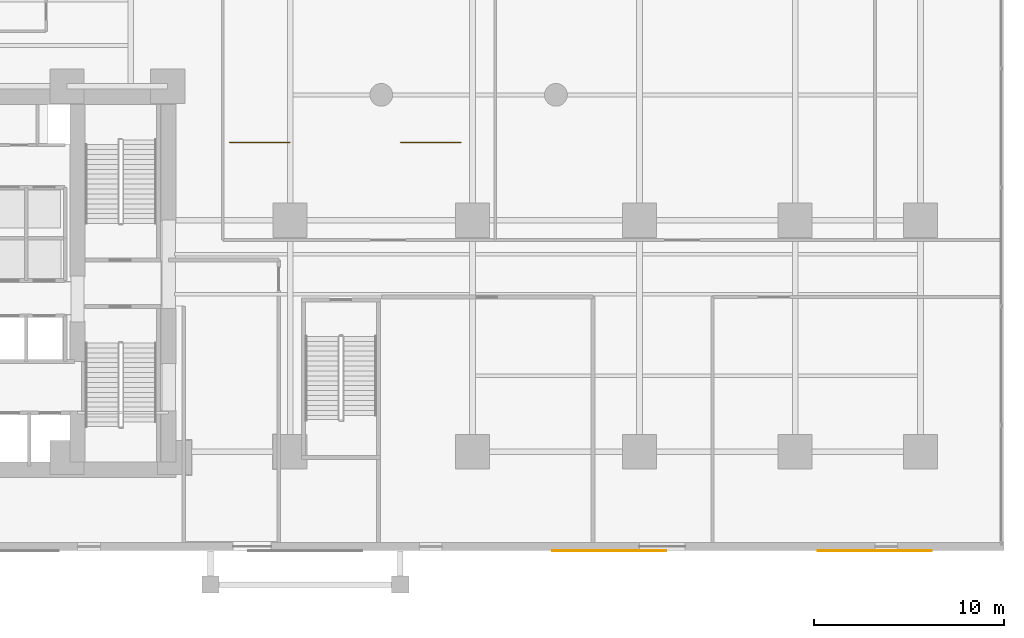
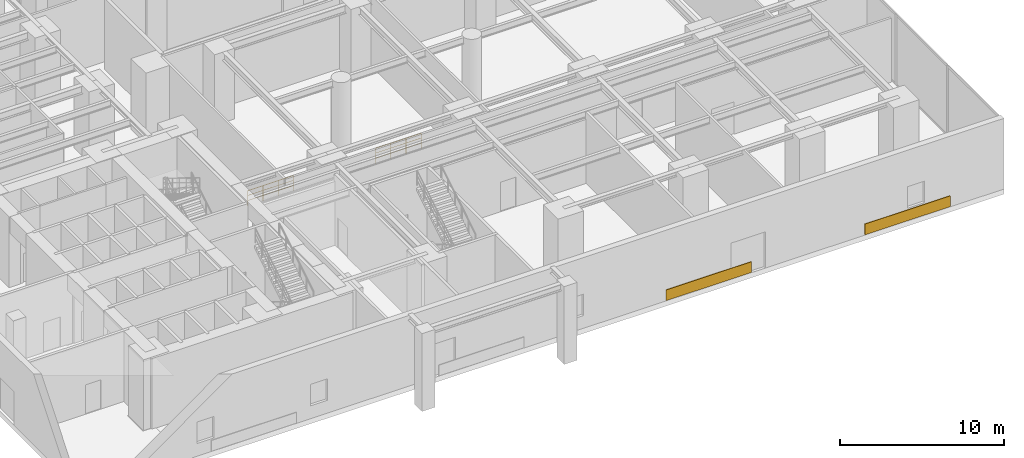
# One storey, part 16 of 17: 2 coverings, 2 railings.
"""IFC4 building model written with IfcOpenShell, lengths in metres."""

from ifc_helpers import new_model, si_unit, direction, frame, origin, origin_2d, place, context, subcontext, project, spatial, rectangle, circle, extrude, material, layer, layer_set, type_object, element, save


model = new_model("IFC4")

# Units and contexts
model_context = context("Model", 3, precision=1e-05, world=origin(), true_north=direction((0.0, 1.0)))
body_context = subcontext(model_context, "Body", "Model", "MODEL_VIEW")
ifc_project = project(units=[si_unit("LENGTHUNIT", "METRE"), si_unit("AREAUNIT", "SQUARE_METRE"), si_unit("VOLUMEUNIT", "CUBIC_METRE"), si_unit("PLANEANGLEUNIT", "RADIAN"), si_unit("MASSUNIT", "GRAM", prefix="KILO")], contexts=[model_context])

# Site, building, storey
site_placement = place(None, origin())
site = spatial("IfcSite", under=ifc_project, at=site_placement, CompositionType="ELEMENT")
building_placement = place(site_placement, origin())
building = spatial("IfcBuilding", under=site, at=building_placement, Name="Kolvaren Waterfront Exchange", CompositionType="ELEMENT")
storey_placement = place(building_placement, origin())
storey = spatial("IfcBuildingStorey", under=building, at=storey_placement, Name="L01", CompositionType="ELEMENT", Elevation=0.0)

# Railings
ifc_material_1 = material(Name="Anodised bronze aluminium and laminated glass", Category="aluminium")
railing_type = type_object("IfcRailingType", Name="ARC-BALUSTRADE-1150", PredefinedType="BALUSTRADE", material=ifc_material_1)
for number, where, name in (
    (1, (24.0, 21.5, 0.0), "L01 gallery balustrade 1"),
    (2, (33.0, 21.5, 0.0), "L01 gallery balustrade 2"),
):
    element("IfcRailing", number, at=place(storey_placement, frame(where)), inside=storey, type_object=railing_type, Name=name, PredefinedType="BALUSTRADE", context=body_context, shape_type="SweptSolid", body=[
        extrude(circle(Radius=0.02392578125, at=origin_2d()), frame((0.0, 0.0, 1.1259765625), z_axis=(1.0, 0.0, 0.0), x_axis=(0.0, 1.0, 0.0)), (0.0, 0.0, 1.0), 3.199951171875),
        extrude(circle(Radius=0.01611328125, at=origin_2d()), frame((0.0, 0.0, 0.390869140625), z_axis=(1.0, 0.0, 0.0), x_axis=(0.0, 1.0, 0.0)), (0.0, 0.0, 1.0), 3.199951171875),
        extrude(circle(Radius=0.01611328125, at=origin_2d()), frame((0.0, 0.0, 0.7705078125), z_axis=(1.0, 0.0, 0.0), x_axis=(0.0, 1.0, 0.0)), (0.0, 0.0, 1.0), 3.199951171875),
        extrude(circle(Radius=0.02099609375, at=origin_2d()), origin(), (0.0, 0.0, 1.0), 1.101806640625),
        extrude(circle(Radius=0.02099609375, at=origin_2d()), frame((1.066650390625, 0.0, 0.0)), (0.0, 0.0, 1.0), 1.101806640625),
        extrude(circle(Radius=0.02099609375, at=origin_2d()), frame((2.13330078125, 0.0, 0.0)), (0.0, 0.0, 1.0), 1.101806640625),
        extrude(circle(Radius=0.02099609375, at=origin_2d()), frame((3.199951171875, 0.0, 0.0)), (0.0, 0.0, 1.0), 1.101806640625),
    ])

# Coverings
ifc_material_2 = material(Name="Honed grey-taupe granite stone", Category="masonry")
ifc_layer = layer(ifc_material_2, 0.044921875, Name="Honed grey-taupe granite stone")
ifc_layer_set = layer_set([ifc_layer], Name="Honed grey-taupe granite stone")
covering_type = type_object("IfcCoveringType", Name="ARC-CLAD-GRANITE-45", PredefinedType="CLADDING", material=ifc_layer_set)
for number, where, z_axis, x_axis, name in (
    (3, (44.0, -0.02001953125, 0.0498046875), (0.0, 0.0, 1.0), (1.0, 0.0, 0.0), "L01 honed grey-taupe granite spandrel cladding S3"),
    (4, (58.0, -0.02001953125, 0.0498046875), (0.0, 0.0, 1.0), (1.0, 0.0, 0.0), "L01 honed grey-taupe granite spandrel cladding S4"),
):
    element("IfcCovering", number, at=place(storey_placement, frame(where, z_axis=z_axis, x_axis=x_axis)), inside=storey, type_object=covering_type, Name=name, PredefinedType="CLADDING", context=body_context, shape_type="SweptSolid", body=[
        extrude(rectangle(XDim=6.0, YDim=0.044921875, at=origin_2d()), origin(), (0.0, 0.0, 1.0), 0.800048828125),
    ])

save(model, "model.ifc")
